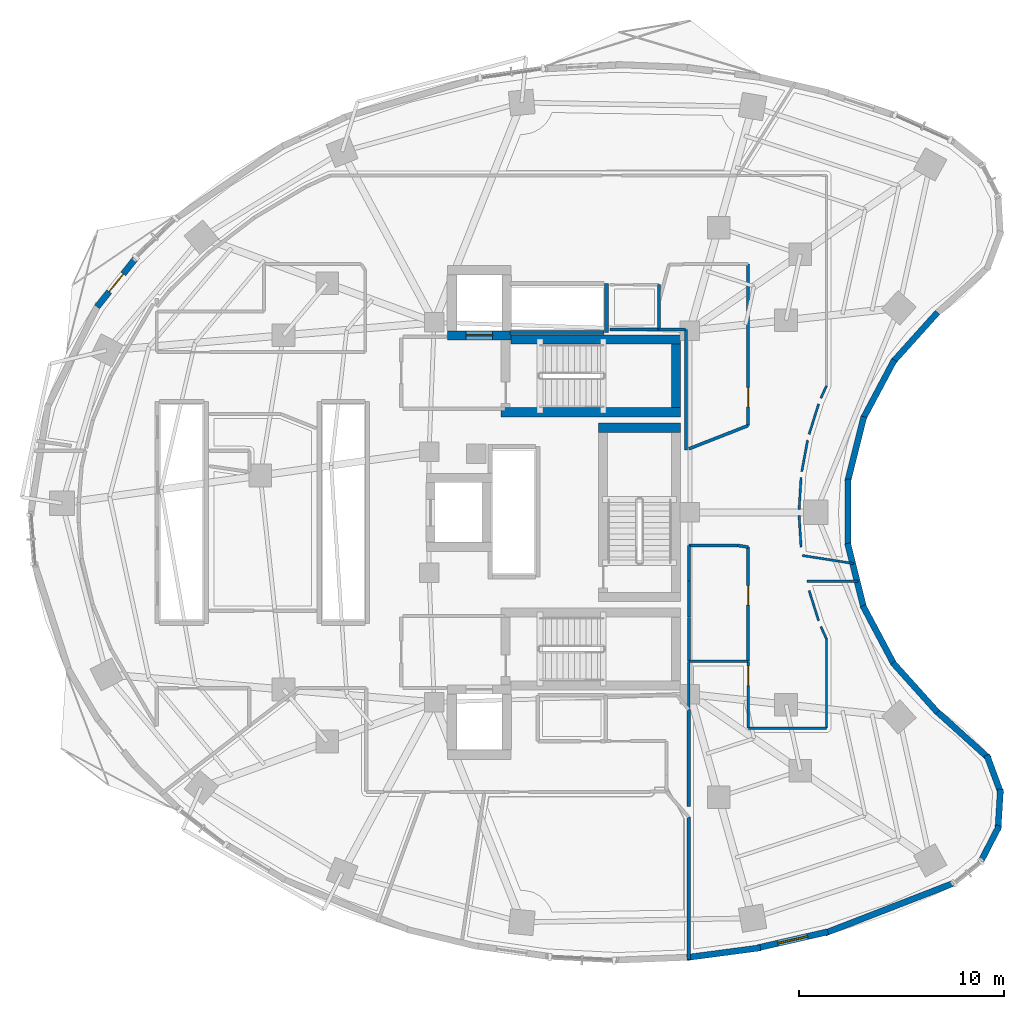
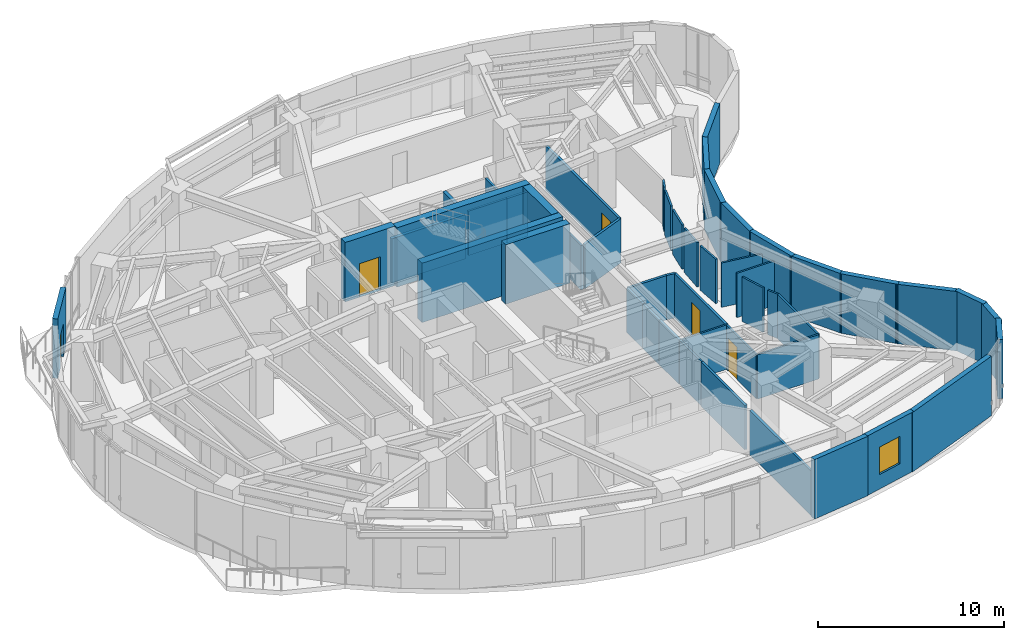
# One storey, part 10 of 15: 50 walls, 5 doors, 1 window, 6 openings.
"""IFC4 building model written with IfcOpenShell, lengths in metres."""

from ifc_helpers import new_model, si_unit, direction, frame, frame_2d, origin, place, context, subcontext, project, spatial, rectangle, extrude, material, layer, layer_set, type_object, element, fill, save


model = new_model("IFC4")

# Units and contexts
model_context = context("Model", 3, precision=1e-05, world=origin(), true_north=direction((0.0, 1.0)))
body_context = subcontext(model_context, "Body", "Model", "MODEL_VIEW")
ifc_project = project(units=[si_unit("LENGTHUNIT", "METRE"), si_unit("AREAUNIT", "SQUARE_METRE"), si_unit("VOLUMEUNIT", "CUBIC_METRE"), si_unit("PLANEANGLEUNIT", "RADIAN"), si_unit("MASSUNIT", "GRAM", prefix="KILO")], contexts=[model_context])

# Site, building, storey
site_placement = place(None, origin())
site = spatial("IfcSite", under=ifc_project, at=site_placement, CompositionType="ELEMENT")
building_placement = place(site_placement, origin())
building = spatial("IfcBuilding", under=site, at=building_placement, Name="Korentha Bioscience Tower", CompositionType="ELEMENT")
storey_placement = place(building_placement, frame((0.0, 0.0, 115.199951171875)))
storey = spatial("IfcBuildingStorey", under=building, at=storey_placement, Name="L26", CompositionType="ELEMENT", Elevation=115.199951171875)

# Wall, opening, door
ifc_material_1 = material(Name="Double-Stud Acoustic Gypsum", Category="gypsum")
ifc_layer_1 = layer(ifc_material_1, 0.14990234375, Name="Double-Stud Acoustic Gypsum")
ifc_layer_set_1 = layer_set([ifc_layer_1], Name="Double-Stud Acoustic Gypsum (IW-L150)")
wall_type_1 = type_object("IfcWallType", Name="Acoustic Laboratory Partition Wall 150", PredefinedType="PARTITIONING", material=ifc_layer_set_1)
wall_1_placement = place(storey_placement, frame((40.389892578125, 25.3095703125, 0.0), z_axis=(0.0, 0.0, 1.0), x_axis=(0.0, -1.0, 0.0)))
wall_1 = element("IfcWall", 1, at=wall_1_placement, inside=storey, type_object=wall_type_1, Name="L26 Biostatistics Research Office 08 Entrance Wall", PredefinedType="PARTITIONING", context=body_context, shape_type="SweptSolid", body=[
    extrude(rectangle(XDim=5.551513671875, YDim=0.14990234375, at=frame_2d((2.77587890625, 0.0))), origin(), (0.0, 0.0, 1.0), 2.91015625),
])
opening_1_placement = place(wall_1_placement, frame((1.881591796875, 0.0, 0.0)))
opening_1 = element("IfcOpeningElement", 2, at=opening_1_placement, cuts=wall_1, Name="Opening ID-10R", PredefinedType="OPENING", context=body_context, shape_type="SweptSolid", body=[
    extrude(rectangle(XDim=0.949951171875, YDim=2.14990234375, at=frame_2d((0.47509765625, 1.074951171875))), frame((0.0, 0.08984375, 0.0), z_axis=(0.0, -1.0, 0.0), x_axis=(1.0, 0.0, 0.0)), (0.0, 0.0, 1.0), 0.1796875),
])
ifc_material_2 = material(Name="Phenolic Laminate Timber Core", Category="wood")
door_type_1 = type_object("IfcDoorType", Name="Laboratory Single Leaf Door 950x2150 Right", OperationType="SINGLE_SWING_RIGHT", PredefinedType="DOOR", material=ifc_material_2)
door_1_placement = place(opening_1_placement, origin())
door_1 = element("IfcDoor", 3, at=door_1_placement, inside=storey, type_object=door_type_1, Name="L26 Biostatistics Research Office 08 Door", OperationType="SINGLE_SWING_RIGHT", OverallHeight=2.14990234375, OverallWidth=0.949951171875, PredefinedType="DOOR", context=body_context, shape_type="SweptSolid", body=[
    extrude(rectangle(XDim=0.949951171875, YDim=2.14990234375, at=frame_2d((0.47509765625, 1.074951171875))), frame((0.0, 0.02490234375, 0.0), z_axis=(0.0, -1.0, 0.0), x_axis=(1.0, 0.0, 0.0)), (0.0, 0.0, 1.0), 0.050048828125),
])
fill(opening_1, door_1)

wall_2_placement = place(storey_placement, frame((40.389892578125, 39.090087890625, 0.0), z_axis=(0.0, 0.0, 1.0), x_axis=(0.0, -1.0, 0.0)))
wall_2 = element("IfcWall", 4, at=wall_2_placement, inside=storey, type_object=wall_type_1, Name="L26 Researchers' Wellness Quiet Room 10 Entrance Wall", PredefinedType="PARTITIONING", context=body_context, shape_type="SweptSolid", body=[
    extrude(rectangle(XDim=7.8623046875, YDim=0.14990234375, at=frame_2d((3.93115234375, 0.0))), origin(), (0.0, 0.0, 1.0), 2.91015625),
])
opening_2_placement = place(wall_2_placement, frame((6.00634765625, 0.0, 0.0)))
opening_2 = element("IfcOpeningElement", 5, at=opening_2_placement, cuts=wall_2, Name="Opening ID-10R", PredefinedType="OPENING", context=body_context, shape_type="SweptSolid", body=[
    extrude(rectangle(XDim=0.949951171875, YDim=2.14990234375, at=frame_2d((0.47509765625, 1.074951171875))), frame((0.0, 0.08984375, 0.0), z_axis=(0.0, -1.0, 0.0), x_axis=(1.0, 0.0, 0.0)), (0.0, 0.0, 1.0), 0.1796875),
])
door_2_placement = place(opening_2_placement, origin())
door_2 = element("IfcDoor", 6, at=door_2_placement, inside=storey, type_object=door_type_1, Name="L26 Researchers' Wellness Quiet Room 10 Door", OperationType="SINGLE_SWING_RIGHT", OverallHeight=2.14990234375, OverallWidth=0.949951171875, PredefinedType="DOOR", context=body_context, shape_type="SweptSolid", body=[
    extrude(rectangle(XDim=0.949951171875, YDim=2.14990234375, at=frame_2d((0.47509765625, 1.074951171875))), frame((0.0, 0.02490234375, 0.0), z_axis=(0.0, -1.0, 0.0), x_axis=(1.0, 0.0, 0.0)), (0.0, 0.0, 1.0), 0.050048828125),
])
fill(opening_2, door_2)

# Walls
wall_3_placement = place(storey_placement, frame((37.498046875, 12.15625, 0.0), z_axis=(0.0, 0.0, 1.0), x_axis=(0.0, -1.0, 0.0)))
element("IfcWall", 7, at=wall_3_placement, inside=storey, type_object=wall_type_1, Name="L26 Interior Partition 046", PredefinedType="PARTITIONING", context=body_context, shape_type="SweptSolid", body=[
    extrude(rectangle(XDim=6.943359375, YDim=0.14990234375, at=frame_2d((3.4716796875, 0.0))), origin(), (0.0, 0.0, 1.0), 2.91015625),
])
wall_4_placement = place(storey_placement, frame((37.498046875, 17.390869140625, 0.0), z_axis=(0.0, 0.0, 1.0), x_axis=(0.0, -1.0, 0.0)))
element("IfcWall", 8, at=wall_4_placement, inside=storey, type_object=wall_type_1, Name="L26 Interior Partition 047", PredefinedType="PARTITIONING", context=body_context, shape_type="SweptSolid", body=[
    extrude(rectangle(XDim=4.723388671875, YDim=0.14990234375, at=frame_2d((2.36181640625, 0.0))), origin(), (0.0, 0.0, 1.0), 2.91015625),
])
wall_5_placement = place(storey_placement, frame((37.501953125, 21.8955078125, 0.0), z_axis=(0.0, 0.0, 1.0), x_axis=(0.0, 1.0, 0.0)))
element("IfcWall", 9, at=wall_5_placement, inside=storey, type_object=wall_type_1, Name="L26 Interior Partition 058", PredefinedType="PARTITIONING", context=body_context, shape_type="SweptSolid", body=[
    extrude(rectangle(XDim=1.75244140625, YDim=0.14990234375, at=frame_2d((0.876220703125, 0.0))), origin(), (0.0, 0.0, 1.0), 2.91015625),
])
wall_6_placement = place(storey_placement, frame((37.501953125, 23.652099609375, 0.0), z_axis=(0.0, 0.0, 1.0), x_axis=(0.0, 1.0, 0.0)))
element("IfcWall", 10, at=wall_6_placement, inside=storey, type_object=wall_type_1, Name="L26 Interior Partition 059", PredefinedType="PARTITIONING", context=body_context, shape_type="SweptSolid", body=[
    extrude(rectangle(XDim=1.73779296875, YDim=0.14990234375, at=frame_2d((0.868896484375, 0.0))), origin(), (0.0, 0.0, 1.0), 2.91015625),
])
wall_7_placement = place(storey_placement, frame((37.501953125, 25.389892578125, 0.0), z_axis=(0.0, 0.0, 1.0), x_axis=(1.0, 0.0, 0.0)))
element("IfcWall", 11, at=wall_7_placement, inside=storey, type_object=wall_type_1, Name="L26 Interior Partition 060", PredefinedType="PARTITIONING", context=body_context, shape_type="SweptSolid", body=[
    extrude(rectangle(XDim=2.3740234375, YDim=0.14990234375, at=frame_2d((1.18701171875, 0.0))), origin(), (0.0, 0.0, 1.0), 2.91015625),
])
wall_8_placement = place(storey_placement, frame((39.8759765625, 25.389892578125, 0.0), z_axis=(0.0, 0.0, 1.0), x_axis=(0.988005321265, -0.15441983406, 0.0)))
element("IfcWall", 12, at=wall_8_placement, inside=storey, type_object=wall_type_1, Name="L26 Interior Partition 061", PredefinedType="PARTITIONING", context=body_context, shape_type="SweptSolid", body=[
    extrude(rectangle(XDim=0.520263671875, YDim=0.14990234375, at=frame_2d((0.26025390625, 0.0))), origin(), (0.0, 0.0, 1.0), 2.91015625),
])
wall_9_placement = place(storey_placement, frame((37.501953125, 19.758056640625, 0.0), z_axis=(0.0, 0.0, 1.0), x_axis=(0.0, 1.0, 0.0)))
element("IfcWall", 13, at=wall_9_placement, inside=storey, type_object=wall_type_1, Name="L26 Interior Partition 062", PredefinedType="PARTITIONING", context=body_context, shape_type="SweptSolid", body=[
    extrude(rectangle(XDim=2.13232421875, YDim=0.14990234375, at=frame_2d((1.066162109375, 0.0))), origin(), (0.0, 0.0, 1.0), 2.91015625),
])
wall_10_placement = place(storey_placement, frame((40.389892578125, 31.227783203125, 0.0), z_axis=(0.0, 0.0, 1.0), x_axis=(-0.931038232899, -0.364921647592, 0.0)))
element("IfcWall", 14, at=wall_10_placement, inside=storey, type_object=wall_type_1, Name="L26 Interior Partition 074", PredefinedType="PARTITIONING", context=body_context, shape_type="SweptSolid", body=[
    extrude(rectangle(XDim=3.1015625, YDim=0.14990234375, at=frame_2d((1.55078125, 0.0))), origin(), (0.0, 0.0, 1.0), 2.91015625),
])
wall_11_placement = place(storey_placement, frame((37.360107421875, 30.040283203125, 0.0), z_axis=(0.0, 0.0, 1.0), x_axis=(0.0, 1.0, 0.0)))
element("IfcWall", 15, at=wall_11_placement, inside=storey, type_object=wall_type_1, Name="L26 Interior Partition 075", PredefinedType="PARTITIONING", context=body_context, shape_type="SweptSolid", body=[
    extrude(rectangle(XDim=5.859619140625, YDim=0.14990234375, at=frame_2d((2.9296875, 0.0))), origin(), (0.0, 0.0, 1.0), 2.91015625),
])
wall_12_placement = place(storey_placement, frame((37.35009765625, 35.909912109375, 0.0), z_axis=(0.0, 0.0, 1.0), x_axis=(-1.0, 0.0, 0.0)))
element("IfcWall", 16, at=wall_12_placement, inside=storey, type_object=wall_type_1, Name="L26 Interior Partition 076", PredefinedType="PARTITIONING", context=body_context, shape_type="SweptSolid", body=[
    extrude(rectangle(XDim=1.2900390625, YDim=0.14990234375, at=frame_2d((0.64501953125, 0.0))), origin(), (0.0, 0.0, 1.0), 2.91015625),
])

# Wall, opening, door
ifc_material_3 = material(Name="Fire-Rated Framed Glass", Category="glass")
ifc_layer_2 = layer(ifc_material_3, 0.110107421875, Name="Fire-Rated Framed Glass")
ifc_layer_set_2 = layer_set([ifc_layer_2], Name="Fire-Rated Framed Glass (IW-G110)")
wall_type_2 = type_object("IfcWallType", Name="Demountable Glazed Office Partition 110", PredefinedType="MOVABLE", material=ifc_layer_set_2)
wall_13_placement = place(storey_placement, frame((40.389892578125, 19.748046875, 0.0), z_axis=(0.0, 0.0, 1.0), x_axis=(0.0, -1.0, 0.0)))
wall_13 = element("IfcWall", 17, at=wall_13_placement, inside=storey, type_object=wall_type_2, Name="L26 Translational Medicine Team Office 07 Entrance Wall", PredefinedType="MOVABLE", context=body_context, shape_type="SweptSolid", body=[
    extrude(rectangle(XDim=3.248046875, YDim=0.110107421875, at=frame_2d((1.6240234375, 0.0))), origin(), (0.0, 0.0, 1.0), 2.91015625),
])
opening_3_placement = place(wall_13_placement, frame((0.239990234375, 0.0, 0.0)))
opening_3 = element("IfcOpeningElement", 18, at=opening_3_placement, cuts=wall_13, Name="Opening ID-10L", PredefinedType="OPENING", context=body_context, shape_type="SweptSolid", body=[
    extrude(rectangle(XDim=0.949951171875, YDim=2.14990234375, at=frame_2d((0.47509765625, 1.074951171875))), frame((0.0, 0.06982421875, 0.0), z_axis=(0.0, -1.0, 0.0), x_axis=(1.0, 0.0, 0.0)), (0.0, 0.0, 1.0), 0.139892578125),
])
door_type_2 = type_object("IfcDoorType", Name="Laboratory Single Leaf Door 950x2150 Left", OperationType="SINGLE_SWING_LEFT", PredefinedType="DOOR", material=ifc_material_2)
door_3_placement = place(opening_3_placement, origin())
door_3 = element("IfcDoor", 19, at=door_3_placement, inside=storey, type_object=door_type_2, Name="L26 Translational Medicine Team Office 07 Door", OperationType="SINGLE_SWING_LEFT", OverallHeight=2.14990234375, OverallWidth=0.949951171875, PredefinedType="DOOR", context=body_context, shape_type="SweptSolid", body=[
    extrude(rectangle(XDim=0.949951171875, YDim=2.14990234375, at=frame_2d((0.47509765625, 1.074951171875))), frame((0.0, 0.02490234375, 0.0), z_axis=(0.0, -1.0, 0.0), x_axis=(1.0, 0.0, 0.0)), (0.0, 0.0, 1.0), 0.050048828125),
])
fill(opening_3, door_3)

# Walls
wall_14_placement = place(storey_placement, frame((37.502197265625, 19.748046875, 0.0), z_axis=(0.0, 0.0, 1.0), x_axis=(1.0, 0.0, 0.0)))
element("IfcWall", 20, at=wall_14_placement, inside=storey, type_object=wall_type_2, Name="L26 Interior Partition 051", PredefinedType="MOVABLE", context=body_context, shape_type="SweptSolid", body=[
    extrude(rectangle(XDim=2.8876953125, YDim=0.110107421875, at=frame_2d((1.44384765625, 0.0))), origin(), (0.0, 0.0, 1.0), 2.91015625),
])
wall_15_placement = place(storey_placement, frame((40.39990234375, 16.489990234375, 0.0), z_axis=(0.0, 0.0, 1.0), x_axis=(1.0, 0.0, 0.0)))
element("IfcWall", 21, at=wall_15_placement, inside=storey, type_object=wall_type_2, Name="L26 Interior Partition 052", PredefinedType="MOVABLE", context=body_context, shape_type="SweptSolid", body=[
    extrude(rectangle(XDim=3.800048828125, YDim=0.110107421875, at=frame_2d((1.89990234375, 0.0))), origin(), (0.0, 0.0, 1.0), 2.91015625),
])
wall_16_placement = place(storey_placement, frame((44.2099609375, 16.5, 0.0), z_axis=(0.0, 0.0, 1.0), x_axis=(0.0, 1.0, 0.0)))
element("IfcWall", 22, at=wall_16_placement, inside=storey, type_object=wall_type_2, Name="L26 Interior Partition 053", PredefinedType="MOVABLE", context=body_context, shape_type="SweptSolid", body=[
    extrude(rectangle(XDim=4.324951171875, YDim=0.110107421875, at=frame_2d((2.16259765625, 0.0))), origin(), (0.0, 0.0, 1.0), 2.91015625),
])
wall_17_placement = place(storey_placement, frame((44.208984375, 20.8291015625, 0.0), z_axis=(0.0, 0.0, 1.0), x_axis=(-0.414377467152, 0.910105111905, 0.0)))
element("IfcWall", 23, at=wall_17_placement, inside=storey, type_object=wall_type_2, Name="L26 Interior Partition 054", PredefinedType="MOVABLE", context=body_context, shape_type="SweptSolid", body=[
    extrude(rectangle(XDim=0.67236328125, YDim=0.110107421875, at=frame_2d((0.336181640625, 0.0))), origin(), (0.0, 0.0, 1.0), 2.91015625),
])
wall_18_placement = place(storey_placement, frame((43.823974609375, 21.718017578125, 0.0), z_axis=(0.0, 0.0, 1.0), x_axis=(-0.300641414783, 0.953737248783, 0.0)))
element("IfcWall", 24, at=wall_18_placement, inside=storey, type_object=wall_type_2, Name="L26 Interior Partition 055", PredefinedType="MOVABLE", context=body_context, shape_type="SweptSolid", body=[
    extrude(rectangle(XDim=1.55029296875, YDim=0.110107421875, at=frame_2d((0.775146484375, 0.0))), origin(), (0.0, 0.0, 1.0), 2.91015625),
])
wall_19_placement = place(storey_placement, frame((43.255615234375, 23.64794921875, 0.0), z_axis=(0.0, 0.0, 1.0), x_axis=(1.0, 0.0, 0.0)))
element("IfcWall", 25, at=wall_19_placement, inside=storey, type_object=wall_type_2, Name="L26 Interior Partition 056", PredefinedType="MOVABLE", context=body_context, shape_type="SweptSolid", body=[
    extrude(rectangle(XDim=2.4736328125, YDim=0.110107421875, at=frame_2d((1.23681640625, 0.0))), origin(), (0.0, 0.0, 1.0), 2.91015625),
])
wall_20_placement = place(storey_placement, frame((37.501953125, 17.40185546875, 0.0), z_axis=(0.0, 0.0, 1.0), x_axis=(0.0, 1.0, 0.0)))
element("IfcWall", 26, at=wall_20_placement, inside=storey, type_object=wall_type_2, Name="L26 Interior Partition 057", PredefinedType="MOVABLE", context=body_context, shape_type="SweptSolid", body=[
    extrude(rectangle(XDim=2.345947265625, YDim=0.110107421875, at=frame_2d((1.1728515625, 0.0))), origin(), (0.0, 0.0, 1.0), 2.91015625),
])
wall_21_placement = place(storey_placement, frame((45.53173828125, 24.50830078125, 0.0), z_axis=(0.0, 0.0, 1.0), x_axis=(-0.987957888296, 0.154723013653, 0.0)))
element("IfcWall", 27, at=wall_21_placement, inside=storey, type_object=wall_type_2, Name="L26 Interior Partition 063", PredefinedType="MOVABLE", context=body_context, shape_type="SweptSolid", body=[
    extrude(rectangle(XDim=2.538818359375, YDim=0.110107421875, at=frame_2d((1.26953125, 0.0))), origin(), (0.0, 0.0, 1.0), 2.91015625),
])
for number, where, z_axis, x_axis, name in (
    (28, (42.96728515625, 25.303955078125, 0.0), (0.0, 0.0, 1.0), (-0.061103659378, 0.99813142562, 0.0), "L26 Interior Partition 064"),
    (29, (42.87255859375, 27.148681640625, 0.0), (0.0, 0.0, 1.0), (0.061103659378, 0.99813142562, 0.0), "L26 Interior Partition 065"),
):
    element("IfcWall", number, at=place(storey_placement, frame(where, z_axis=z_axis, x_axis=x_axis)), inside=storey, type_object=wall_type_2, Name=name, PredefinedType="MOVABLE", context=body_context, shape_type="SweptSolid", body=[
        extrude(rectangle(XDim=1.55029296875, YDim=0.110107421875, at=frame_2d((0.775146484375, 0.0))), origin(), (0.0, 0.0, 1.0), 2.91015625),
    ])
wall_22_placement = place(storey_placement, frame((43.00341796875, 28.99072265625, 0.0), z_axis=(0.0, 0.0, 1.0), x_axis=(0.182168192784, 0.983267384559, 0.0)))
element("IfcWall", 30, at=wall_22_placement, inside=storey, type_object=wall_type_2, Name="L26 Interior Partition 066", PredefinedType="MOVABLE", context=body_context, shape_type="SweptSolid", body=[
    extrude(rectangle(XDim=1.550537109375, YDim=0.110107421875, at=frame_2d((0.775390625, 0.0))), origin(), (0.0, 0.0, 1.0), 2.91015625),
])
wall_23_placement = place(storey_placement, frame((43.35791015625, 30.803466796875, 0.0), z_axis=(0.0, 0.0, 1.0), x_axis=(0.300641414783, 0.953737248783, 0.0)))
element("IfcWall", 31, at=wall_23_placement, inside=storey, type_object=wall_type_2, Name="L26 Interior Partition 067", PredefinedType="MOVABLE", context=body_context, shape_type="SweptSolid", body=[
    extrude(rectangle(XDim=1.55029296875, YDim=0.110107421875, at=frame_2d((0.775146484375, 0.0))), origin(), (0.0, 0.0, 1.0), 2.91015625),
])
wall_24_placement = place(storey_placement, frame((43.930419921875, 32.55908203125, 0.0), z_axis=(0.0, 0.0, 1.0), x_axis=(0.414377467152, 0.910105111905, 0.0)))
element("IfcWall", 32, at=wall_24_placement, inside=storey, type_object=wall_type_2, Name="L26 Interior Partition 068", PredefinedType="MOVABLE", context=body_context, shape_type="SweptSolid", body=[
    extrude(rectangle(XDim=0.67236328125, YDim=0.110107421875, at=frame_2d((0.336181640625, 0.0))), origin(), (0.0, 0.0, 1.0), 2.91015625),
])

# Wall, opening, door
ifc_material_4 = material(Name="Honed Limestone Precast Concrete C40", Category="masonry")
ifc_layer_3 = layer(ifc_material_4, 0.300048828125, Name="Honed Limestone Precast Concrete C40")
ifc_layer_set_3 = layer_set([ifc_layer_3], Name="Honed Limestone Precast Concrete C40 (EW-ST300)")
wall_type_3 = type_object("IfcWallType", Name="Honed Limestone Cavity Spandrel Wall 300", PredefinedType="STANDARD", material=ifc_layer_set_3)
wall_25_placement = place(storey_placement, frame((10.55029296875, 39.361572265625, 0.0), z_axis=(0.0, 0.0, 1.0), x_axis=(-0.620971431761, -0.783833197139, 0.0)))
wall_25 = element("IfcWall", 33, at=wall_25_placement, inside=storey, type_object=wall_type_3, Name="L26 Balcony Threshold Wall 02", PredefinedType="STANDARD", context=body_context, shape_type="SweptSolid", body=[
    extrude(rectangle(XDim=3.004150390625, YDim=0.300048828125, at=frame_2d((1.501953125, 0.0))), origin(), (0.0, 0.0, 1.0), 3.900146484375),
])
opening_4_placement = place(wall_25_placement, frame((0.951904296875, 0.0, 0.0)))
opening_4 = element("IfcOpeningElement", 34, at=opening_4_placement, cuts=wall_25, Name="Opening BD-11R", PredefinedType="OPENING", context=body_context, shape_type="SweptSolid", body=[
    extrude(rectangle(XDim=1.10009765625, YDim=2.14990234375, at=frame_2d((0.550048828125, 1.074951171875))), frame((0.0, 0.1650390625, 0.0), z_axis=(0.0, -1.0, 0.0), x_axis=(1.0, 0.0, 0.0)), (0.0, 0.0, 1.0), 0.329833984375),
])
ifc_material_5 = material(Name="Thermally Broken Glazed Aluminium", Category="aluminium")
door_type_3 = type_object("IfcDoorType", Name="Balcony Terrace Glazed Door 1100x2150 Right", OperationType="SINGLE_SWING_RIGHT", PredefinedType="DOOR", material=ifc_material_5)
door_4_placement = place(opening_4_placement, origin())
door_4 = element("IfcDoor", 35, at=door_4_placement, inside=storey, type_object=door_type_3, Name="L26 Balcony Access Door 02", OperationType="SINGLE_SWING_RIGHT", OverallHeight=2.14990234375, OverallWidth=1.10009765625, PredefinedType="DOOR", context=body_context, shape_type="SweptSolid", body=[
    extrude(rectangle(XDim=1.10009765625, YDim=2.14990234375, at=frame_2d((0.550048828125, 1.074951171875))), frame((0.0, 0.02490234375, 0.0), z_axis=(0.0, -1.0, 0.0), x_axis=(1.0, 0.0, 0.0)), (0.0, 0.0, 1.0), 0.050048828125),
])
fill(opening_4, door_4)

# Wall, opening, window
wall_26_placement = place(storey_placement, frame((40.831298828125, 5.7861328125, 0.0), z_axis=(0.0, 0.0, 1.0), x_axis=(0.974836214244, 0.222922307989, 0.0)))
wall_26 = element("IfcWall", 36, at=wall_26_placement, inside=storey, type_object=wall_type_3, Name="L26 Honed Limestone Spandrel Wall 34", PredefinedType="STANDARD", context=body_context, shape_type="SweptSolid", body=[
    extrude(rectangle(XDim=3.53515625, YDim=0.300048828125, at=frame_2d((1.767578125, 0.0))), origin(), (0.0, 0.0, 1.0), 3.900146484375),
])
opening_5_placement = place(wall_26_placement, frame((1.017578125, 0.0, 0.949951171875)))
opening_5 = element("IfcOpeningElement", 37, at=opening_5_placement, cuts=wall_26, Name="Opening WN-02", PredefinedType="OPENING", context=body_context, shape_type="SweptSolid", body=[
    extrude(rectangle(XDim=1.5, YDim=1.800048828125, at=frame_2d((0.75, 0.89990234375))), frame((0.0, 0.1650390625, 0.0), z_axis=(0.0, -1.0, 0.0), x_axis=(1.0, 0.0, 0.0)), (0.0, 0.0, 1.0), 0.329833984375),
])
ifc_material_6 = material(Name="Thermally Broken Aluminium Triple Glazing", Category="aluminium")
window_type = type_object("IfcWindowType", Name="Acoustic Operable Office Window 1500x1800", PartitioningType="DOUBLE_PANEL_VERTICAL", PredefinedType="WINDOW", material=ifc_material_6)
window_placement = place(opening_5_placement, origin())
window = element("IfcWindow", 38, at=window_placement, inside=storey, type_object=window_type, Name="L26 Facade Window 34", OverallHeight=1.800048828125, OverallWidth=1.5, PartitioningType="DOUBLE_PANEL_VERTICAL", PredefinedType="WINDOW", context=body_context, shape_type="SweptSolid", body=[
    extrude(rectangle(XDim=1.5, YDim=1.800048828125, at=frame_2d((0.75, 0.89990234375))), frame((0.0, 0.030029296875, 0.0), z_axis=(0.0, -1.0, 0.0), x_axis=(1.0, 0.0, 0.0)), (0.0, 0.0, 1.0), 0.06005859375),
])
fill(opening_5, window)

# Walls
wall_27_placement = place(storey_placement, frame((37.40234375, 5.319091796875, 0.0), z_axis=(0.0, 0.0, 1.0), x_axis=(0.991372969521, 0.131071107816, 0.0)))
element("IfcWall", 39, at=wall_27_placement, inside=storey, type_object=wall_type_3, Name="L26 Limestone Perimeter Closure Wall 33", PredefinedType="STANDARD", context=body_context, shape_type="SweptSolid", body=[
    extrude(rectangle(XDim=3.615478515625, YDim=0.300048828125, at=frame_2d((1.8076171875, 0.0))), origin(), (0.0, 0.0, 1.0), 3.900146484375),
])
wall_28_placement = place(storey_placement, frame((44.12939453125, 6.50634765625, 0.0), z_axis=(0.0, 0.0, 1.0), x_axis=(0.932179361253, 0.36199673818, 0.0)))
element("IfcWall", 40, at=wall_28_placement, inside=storey, type_object=wall_type_3, Name="L26 Limestone Perimeter Closure Wall 35", PredefinedType="STANDARD", context=body_context, shape_type="SweptSolid", body=[
    extrude(rectangle(XDim=6.788818359375, YDim=0.300048828125, at=frame_2d((3.39453125, 0.0))), origin(), (0.0, 0.0, 1.0), 3.900146484375),
])
for number, where, z_axis, x_axis, name in (
    (41, (51.701171875, 9.953125, 0.0), (0.0, 0.0, 1.0), (0.457596540329, 0.889159944149, 0.0), "L26 Limestone Perimeter Closure Wall 38"),
    (42, (52.55859375, 11.522705078125, 0.0), (0.0, 0.0, 1.0), (0.060255200356, 0.998183004679, 0.0), "L26 Limestone Perimeter Closure Wall 39"),
):
    element("IfcWall", number, at=place(storey_placement, frame(where, z_axis=z_axis, x_axis=x_axis)), inside=storey, type_object=wall_type_3, Name=name, PredefinedType="STANDARD", context=body_context, shape_type="SweptSolid", body=[
        extrude(rectangle(XDim=1.99755859375, YDim=0.300048828125, at=frame_2d((0.998779296875, 0.0))), origin(), (0.0, 0.0, 1.0), 3.900146484375),
    ])
wall_29_placement = place(storey_placement, frame((52.710205078125, 13.3046875, 0.0), z_axis=(0.0, 0.0, 1.0), x_axis=(-0.347370087337, 0.937728117539, 0.0)))
element("IfcWall", 43, at=wall_29_placement, inside=storey, type_object=wall_type_3, Name="L26 Limestone Perimeter Closure Wall 40", PredefinedType="STANDARD", context=body_context, shape_type="SweptSolid", body=[
    extrude(rectangle(XDim=1.997314453125, YDim=0.300048828125, at=frame_2d((0.99853515625, 0.0))), origin(), (0.0, 0.0, 1.0), 3.900146484375),
])
wall_30_placement = place(storey_placement, frame((52.14111328125, 14.993896484375, 0.0), z_axis=(0.0, 0.0, 1.0), x_axis=(-0.74255963233, 0.669779958221, 0.0)))
element("IfcWall", 44, at=wall_30_placement, inside=storey, type_object=wall_type_3, Name="L26 Limestone Perimeter Closure Wall 41", PredefinedType="STANDARD", context=body_context, shape_type="SweptSolid", body=[
    extrude(rectangle(XDim=3.5390625, YDim=0.300048828125, at=frame_2d((1.76953125, 0.0))), origin(), (0.0, 0.0, 1.0), 3.900146484375),
])
wall_31_placement = place(storey_placement, frame((49.61572265625, 17.26171875, 0.0), z_axis=(0.0, 0.0, 1.0), x_axis=(-0.669167727967, 0.743111399353, 0.0)))
element("IfcWall", 45, at=wall_31_placement, inside=storey, type_object=wall_type_3, Name="L26 Limestone Perimeter Closure Wall 43", PredefinedType="STANDARD", context=body_context, shape_type="SweptSolid", body=[
    extrude(rectangle(XDim=3.25537109375, YDim=0.300048828125, at=frame_2d((1.627685546875, 0.0))), origin(), (0.0, 0.0, 1.0), 3.900146484375),
])
wall_32_placement = place(storey_placement, frame((47.5087890625, 19.578857421875, 0.0), z_axis=(0.0, 0.0, 1.0), x_axis=(-0.469451284634, 0.882958374645, 0.0)))
element("IfcWall", 46, at=wall_32_placement, inside=storey, type_object=wall_type_3, Name="L26 Limestone Perimeter Closure Wall 45", PredefinedType="STANDARD", context=body_context, shape_type="SweptSolid", body=[
    extrude(rectangle(XDim=3.255615234375, YDim=0.300048828125, at=frame_2d((1.6279296875, 0.0))), origin(), (0.0, 0.0, 1.0), 3.900146484375),
])
wall_33_placement = place(storey_placement, frame((46.025146484375, 22.3369140625, 0.0), z_axis=(0.0, 0.0, 1.0), x_axis=(-0.241900409149, 0.970301083197, 0.0)))
element("IfcWall", 47, at=wall_33_placement, inside=storey, type_object=wall_type_3, Name="L26 Limestone Perimeter Closure Wall 47", PredefinedType="STANDARD", context=body_context, shape_type="SweptSolid", body=[
    extrude(rectangle(XDim=3.255859375, YDim=0.300048828125, at=frame_2d((1.6279296875, 0.0))), origin(), (0.0, 0.0, 1.0), 3.900146484375),
])
wall_34_placement = place(storey_placement, frame((45.252685546875, 25.372314453125, 0.0), z_axis=(0.0, 0.0, 1.0), x_axis=(0.0, 1.0, 0.0)))
element("IfcWall", 48, at=wall_34_placement, inside=storey, type_object=wall_type_3, Name="L26 Limestone Perimeter Closure Wall 49", PredefinedType="STANDARD", context=body_context, shape_type="SweptSolid", body=[
    extrude(rectangle(XDim=3.25537109375, YDim=0.300048828125, at=frame_2d((1.627685546875, 0.0))), origin(), (0.0, 0.0, 1.0), 3.900146484375),
])
wall_35_placement = place(storey_placement, frame((45.237548828125, 28.50390625, 0.0), z_axis=(0.0, 0.0, 1.0), x_axis=(0.241900409149, 0.970301083197, 0.0)))
element("IfcWall", 49, at=wall_35_placement, inside=storey, type_object=wall_type_3, Name="L26 Limestone Perimeter Closure Wall 51", PredefinedType="STANDARD", context=body_context, shape_type="SweptSolid", body=[
    extrude(rectangle(XDim=3.255859375, YDim=0.300048828125, at=frame_2d((1.6279296875, 0.0))), origin(), (0.0, 0.0, 1.0), 3.900146484375),
])
wall_36_placement = place(storey_placement, frame((45.98046875, 31.546630859375, 0.0), z_axis=(0.0, 0.0, 1.0), x_axis=(0.469451284634, 0.882958374645, 0.0)))
element("IfcWall", 50, at=wall_36_placement, inside=storey, type_object=wall_type_3, Name="L26 Limestone Perimeter Closure Wall 53", PredefinedType="STANDARD", context=body_context, shape_type="SweptSolid", body=[
    extrude(rectangle(XDim=3.255615234375, YDim=0.300048828125, at=frame_2d((1.6279296875, 0.0))), origin(), (0.0, 0.0, 1.0), 3.900146484375),
])
wall_37_placement = place(storey_placement, frame((47.437255859375, 34.319091796875, 0.0), z_axis=(0.0, 0.0, 1.0), x_axis=(0.669167727967, 0.743111399353, 0.0)))
element("IfcWall", 51, at=wall_37_placement, inside=storey, type_object=wall_type_3, Name="L26 Limestone Perimeter Closure Wall 55", PredefinedType="STANDARD", context=body_context, shape_type="SweptSolid", body=[
    extrude(rectangle(XDim=3.25537109375, YDim=0.300048828125, at=frame_2d((1.627685546875, 0.0))), origin(), (0.0, 0.0, 1.0), 3.900146484375),
])
ifc_material_7 = material(Name="Autoclaved Aerated Concrete Block C25", Category="concrete")
ifc_layer_4 = layer(ifc_material_7, 0.199951171875, Name="Autoclaved Aerated Concrete Block C25")
ifc_layer_set_4 = layer_set([ifc_layer_4], Name="Autoclaved Aerated Concrete Block C25 (IW-S200)")
wall_type_4 = type_object("IfcWallType", Name="Lift and Riser Shaft Enclosure Wall 200", PredefinedType="PARTITIONING", material=ifc_layer_set_4)
wall_38_placement = place(storey_placement, frame((33.489990234375, 35.760009765625, 0.0), z_axis=(0.0, 0.0, 1.0), x_axis=(0.0, 1.0, 0.0)))
element("IfcWall", 52, at=wall_38_placement, inside=storey, type_object=wall_type_4, Name="L26 Lift Bank OBS Shaft Wall +X", PredefinedType="PARTITIONING", context=body_context, shape_type="SweptSolid", body=[
    extrude(rectangle(XDim=2.3798828125, YDim=0.199951171875, at=frame_2d((1.18994140625, 0.0))), origin(), (0.0, 0.0, 1.0), 2.91015625),
])
wall_39_placement = place(storey_placement, frame((28.800048828125, 35.760009765625, 0.0), z_axis=(0.0, 0.0, 1.0), x_axis=(1.0, 0.0, 0.0)))
element("IfcWall", 53, at=wall_39_placement, inside=storey, type_object=wall_type_4, Name="L26 Lift Bank OBS Shaft Wall -Y", PredefinedType="PARTITIONING", context=body_context, shape_type="SweptSolid", body=[
    extrude(rectangle(XDim=4.570068359375, YDim=0.199951171875, at=frame_2d((2.28515625, 0.0))), origin(), (0.0, 0.0, 1.0), 2.91015625),
])
ifc_material_8 = material(Name="Concrete C80", Category="concrete")
ifc_layer_5 = layer(ifc_material_8, 0.449951171875, Name="Concrete C80")
ifc_layer_set_5 = layer_set([ifc_layer_5], Name="Concrete C80 (CW-C80)")
wall_type_5 = type_object("IfcWallType", Name="Lower Core Shear Wall 450", PredefinedType="SHEAR", material=ifc_layer_set_5)
wall_40_placement = place(storey_placement, frame((28.85205078125, 35.425048828125, 0.0), z_axis=(0.0, 0.0, 1.0), x_axis=(1.0, 0.0, 0.0)))
element("IfcWall", 54, at=wall_40_placement, inside=storey, type_object=wall_type_5, Name="L26 Core Shear Wall ST1-N", PredefinedType="SHEAR", context=body_context, shape_type="SweptSolid", body=[
    extrude(rectangle(XDim=8.248046875, YDim=0.449951171875, at=frame_2d((4.1240234375, 0.0))), origin(), (0.0, 0.0, 1.0), 3.900146484375),
])
wall_41_placement = place(storey_placement, frame((28.35009765625, 31.875, 0.0), z_axis=(0.0, 0.0, 1.0), x_axis=(1.0, 0.0, 0.0)))
element("IfcWall", 55, at=wall_41_placement, inside=storey, type_object=wall_type_5, Name="L26 Core Shear Wall ST1-S", PredefinedType="SHEAR", context=body_context, shape_type="SweptSolid", body=[
    extrude(rectangle(XDim=8.75, YDim=0.449951171875, at=frame_2d((4.375, 0.0))), origin(), (0.0, 0.0, 1.0), 3.900146484375),
])
wall_42_placement = place(storey_placement, frame((36.875, 32.110107421875, 0.0), z_axis=(0.0, 0.0, 1.0), x_axis=(0.0, 1.0, 0.0)))
element("IfcWall", 56, at=wall_42_placement, inside=storey, type_object=wall_type_5, Name="L26 Core Shear Wall ST1-E", PredefinedType="SHEAR", context=body_context, shape_type="SweptSolid", body=[
    extrude(rectangle(XDim=3.079833984375, YDim=0.449951171875, at=frame_2d((1.5400390625, 0.0))), origin(), (0.0, 0.0, 1.0), 3.900146484375),
])
wall_43_placement = place(storey_placement, frame((33.10009765625, 31.125, 0.0), z_axis=(0.0, 0.0, 1.0), x_axis=(1.0, 0.0, 0.0)))
element("IfcWall", 57, at=wall_43_placement, inside=storey, type_object=wall_type_5, Name="L26 Core Shear Wall ST3-N", PredefinedType="SHEAR", context=body_context, shape_type="SweptSolid", body=[
    extrude(rectangle(XDim=4.0, YDim=0.449951171875, at=frame_2d((2.0, 0.0))), origin(), (0.0, 0.0, 1.0), 3.900146484375),
])

# Wall, opening, door
wall_44_placement = place(storey_placement, frame((25.75, 35.6201171875, 0.0), z_axis=(0.0, 0.0, 1.0), x_axis=(1.0, 0.0, 0.0)))
wall_44 = element("IfcWall", 58, at=wall_44_placement, inside=storey, type_object=wall_type_5, Name="L26 Core Shear Wall FFL2-S", PredefinedType="SHEAR", context=body_context, shape_type="SweptSolid", body=[
    extrude(rectangle(XDim=3.10009765625, YDim=0.449951171875, at=frame_2d((1.550048828125, 0.0))), origin(), (0.0, 0.0, 1.0), 3.900146484375),
])
opening_6_placement = place(wall_44_placement, frame((0.89990234375, 0.0, 0.0)))
opening_6 = element("IfcOpeningElement", 59, at=opening_6_placement, cuts=wall_44, Name="Opening LD-13", PredefinedType="OPENING", context=body_context, shape_type="SweptSolid", body=[
    extrude(rectangle(XDim=1.300048828125, YDim=2.199951171875, at=frame_2d((0.64990234375, 1.10009765625))), frame((0.0, 0.23974609375, 0.0), z_axis=(0.0, -1.0, 0.0), x_axis=(1.0, 0.0, 0.0)), (0.0, 0.0, 1.0), 0.479736328125),
])
ifc_material_9 = material(Name="Brushed Stainless Steel 316", Category="steel")
door_type_4 = type_object("IfcDoorType", Name="Service & Firefighting Lift Landing Door 1300x2300", OperationType="DOUBLE_DOOR_SLIDING", PredefinedType="DOOR", material=ifc_material_9)
door_5_placement = place(opening_6_placement, origin())
door_5 = element("IfcDoor", 60, at=door_5_placement, inside=storey, type_object=door_type_4, Name="L26 FFL-2 Sliding Lift Landing Door", OperationType="DOUBLE_DOOR_SLIDING", OverallHeight=2.199951171875, OverallWidth=1.300048828125, PredefinedType="DOOR", context=body_context, shape_type="SweptSolid", body=[
    extrude(rectangle(XDim=1.300048828125, YDim=2.199951171875, at=frame_2d((0.64990234375, 1.10009765625))), frame((0.0, 0.02490234375, 0.0), z_axis=(0.0, -1.0, 0.0), x_axis=(1.0, 0.0, 0.0)), (0.0, 0.0, 1.0), 0.050048828125),
])
fill(opening_6, door_5)

# Walls
ifc_material_10 = material(Name="Cement-Board Steel Stud", Category="steel")
ifc_layer_6 = layer(ifc_material_10, 0.1298828125, Name="Cement-Board Steel Stud")
ifc_layer_set_6 = layer_set([ifc_layer_6], Name="Cement-Board Steel Stud (IW-W130)")
wall_type_6 = type_object("IfcWallType", Name="Wet-Area Moisture-Resistant Partition 130", PredefinedType="PARTITIONING", material=ifc_layer_set_6)
wall_45_placement = place(storey_placement, frame((36.050048828125, 35.909912109375, 0.0), z_axis=(0.0, 0.0, 1.0), x_axis=(-1.0, 0.0, 0.0)))
element("IfcWall", 61, at=wall_45_placement, inside=storey, type_object=wall_type_6, Name="L26 Interior Partition 018", PredefinedType="PARTITIONING", context=body_context, shape_type="SweptSolid", body=[
    extrude(rectangle(XDim=2.400146484375, YDim=0.1298828125, at=frame_2d((1.2001953125, 0.0))), origin(), (0.0, 0.0, 1.0), 2.91015625),
])
wall_46_placement = place(storey_placement, frame((36.050048828125, 38.090087890625, 0.0), z_axis=(0.0, 0.0, 1.0), x_axis=(0.0, -1.0, 0.0)))
element("IfcWall", 62, at=wall_46_placement, inside=storey, type_object=wall_type_6, Name="L26 Interior Partition 019", PredefinedType="PARTITIONING", context=body_context, shape_type="SweptSolid", body=[
    extrude(rectangle(XDim=2.18017578125, YDim=0.1298828125, at=frame_2d((1.090087890625, 0.0))), origin(), (0.0, 0.0, 1.0), 2.91015625),
])

save(model, "model.ifc")
